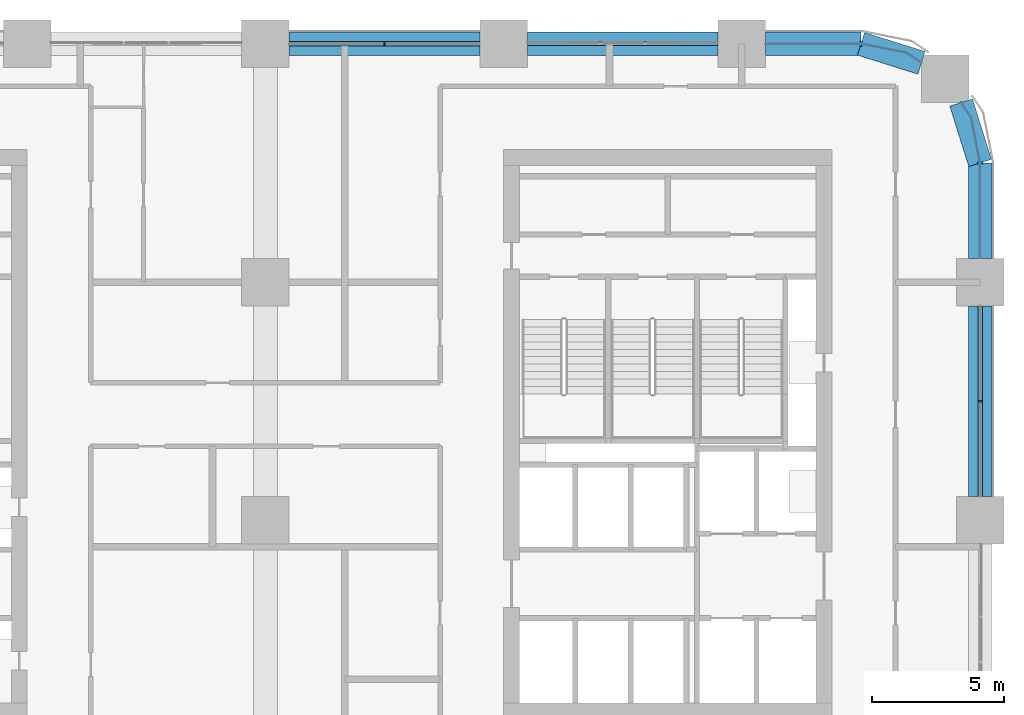
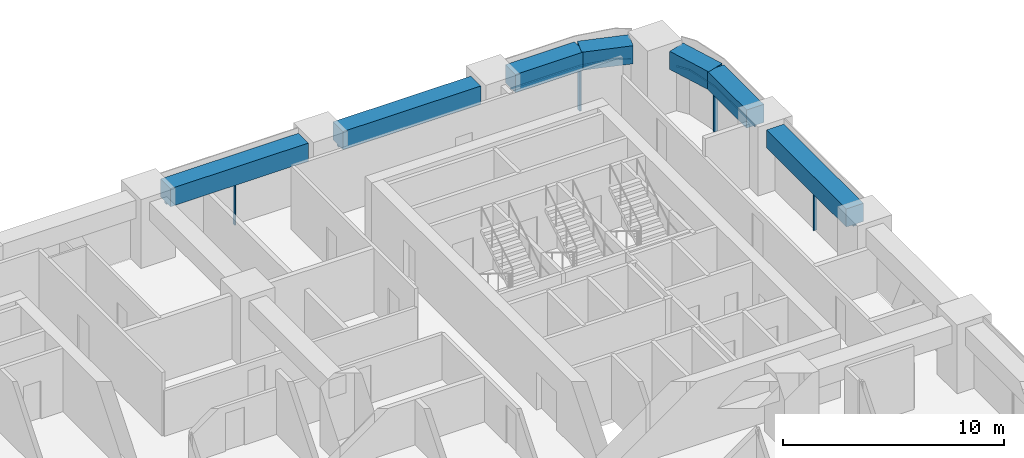
# One storey, part 8 of 21: 9 members, 7 beams, 5 elements without a shape of their own.
"""IFC4 building model written with IfcOpenShell, lengths in metres."""

from ifc_helpers import new_model, si_unit, direction, frame, origin, origin_2d, place, context, subcontext, project, spatial, polyline, rectangle, outline, extrude, material, material_profile, profile_set, type_object, element, aggregate, save


model = new_model("IFC4")

# Units and contexts
model_context = context("Model", 3, precision=1e-05, world=origin(), true_north=direction((0.0, 1.0)))
body_context = subcontext(model_context, "Body", "Model", "MODEL_VIEW")
ifc_project = project(units=[si_unit("LENGTHUNIT", "METRE"), si_unit("AREAUNIT", "SQUARE_METRE"), si_unit("VOLUMEUNIT", "CUBIC_METRE"), si_unit("PLANEANGLEUNIT", "RADIAN"), si_unit("MASSUNIT", "GRAM", prefix="KILO")], contexts=[model_context])

# Site, building, storey
site_placement = place(None, origin())
site = spatial("IfcSite", under=ifc_project, at=site_placement, CompositionType="ELEMENT")
building_placement = place(site_placement, origin())
building = spatial("IfcBuilding", under=site, at=building_placement, Name="Tessera Arch", CompositionType="ELEMENT")
storey_placement = place(building_placement, frame((0.0, 0.0, 50.0)))
storey = spatial("IfcBuildingStorey", under=building, at=storey_placement, Name="L10", CompositionType="ELEMENT", Elevation=50.0)

# Curtain wall, member
ifc_material_1 = material(Name="CW1 curtain wall")
curtain_wall_type_1 = type_object("IfcCurtainWallType", Name="CW1 curtain wall", PredefinedType="NOTDEFINED", material=ifc_material_1)
curtain_wall_1_placement = place(storey_placement, origin())
curtain_wall_1 = element("IfcCurtainWall", 1, at=curtain_wall_1_placement, inside=storey, type_object=curtain_wall_type_1, Name="CW1 curtain wall E54.0/4 L10", PredefinedType="NOTDEFINED")
ifc_material_2 = material(Name="Anodised aluminium pale metal", Category="aluminium")
ifc_material_profile_1 = material_profile(ifc_material_2, rectangle(XDim=0.159912109375, YDim=0.06005859375, at=origin_2d()), Name="AL 60x160")
ifc_profile_set_1 = profile_set([ifc_material_profile_1], Name="Anodised aluminium pale metal")
member_type_1 = type_object("IfcMemberType", Name="CW1 mullion", PredefinedType="MULLION", material=ifc_profile_set_1)
member_1_placement = place(storey_placement, frame((54.0, 40.5, 0.0), z_axis=(0.0, 0.0, 1.0), x_axis=(-1.0, 0.0, 0.0)))
member_1 = element("IfcMember", 2, at=member_1_placement, type_object=member_type_1, Name="CW1 mullion E54.0/4 1", PredefinedType="MULLION", context=body_context, shape_type="SweptSolid", body=[
    extrude(rectangle(XDim=0.159912109375, YDim=0.06005859375, at=origin_2d()), origin(), (0.0, 0.0, 1.0), 2.39990234375),
])

curtain_wall_2_placement = place(storey_placement, origin())
curtain_wall_2 = element("IfcCurtainWall", 3, at=curtain_wall_2_placement, inside=storey, type_object=curtain_wall_type_1, Name="CW1 curtain wall N54.0/2 L10", PredefinedType="NOTDEFINED")
member_2_placement = place(storey_placement, frame((31.5, 54.0, 0.0), z_axis=(0.0, 0.0, 1.0), x_axis=(0.0, -1.0, 0.0)))
member_2 = element("IfcMember", 4, at=member_2_placement, type_object=member_type_1, Name="CW1 mullion N54.0/2 1", PredefinedType="MULLION", context=body_context, shape_type="SweptSolid", body=[
    extrude(rectangle(XDim=0.159912109375, YDim=0.06005859375, at=origin_2d()), origin(), (0.0, 0.0, 1.0), 2.39990234375),
])

# Member
ifc_material_3 = material(Name="Anodised aluminium pale metal", Category="aluminium")
ifc_material_profile_2 = material_profile(ifc_material_3, rectangle(XDim=0.159912109375, YDim=0.10009765625, at=origin_2d()), Name="AL 160x100")
ifc_profile_set_2 = profile_set([ifc_material_profile_2], Name="Anodised aluminium pale metal")
member_type_2 = type_object("IfcMemberType", Name="CW1 transom", PredefinedType="USERDEFINED", material=ifc_profile_set_2)
member_3_placement = place(storey_placement, frame((54.0, 36.89990234375, 2.449951171875), z_axis=(0.0, 1.0, 0.0), x_axis=(-1.0, 0.0, 0.0)))
member_3 = element("IfcMember", 5, at=member_3_placement, type_object=member_type_2, Name="CW1 transom E54.0/4 1.1", ObjectType="TRANSOM", PredefinedType="USERDEFINED", context=body_context, shape_type="SweptSolid", body=[
    extrude(rectangle(XDim=0.159912109375, YDim=0.10009765625, at=origin_2d()), origin(), (0.0, 0.0, 1.0), 7.2001953125),
])

aggregate(curtain_wall_1, [member_1, member_3])

member_4_placement = place(storey_placement, frame((35.10009765625, 54.0, 2.449951171875), z_axis=(-1.0, 0.0, 0.0), x_axis=(0.0, -1.0, 0.0)))
member_4 = element("IfcMember", 6, at=member_4_placement, type_object=member_type_2, Name="CW1 transom N54.0/2 1.1", ObjectType="TRANSOM", PredefinedType="USERDEFINED", context=body_context, shape_type="SweptSolid", body=[
    extrude(rectangle(XDim=0.159912109375, YDim=0.10009765625, at=origin_2d()), origin(), (0.0, 0.0, 1.0), 7.2001953125),
])

aggregate(curtain_wall_2, [member_2, member_4])

# Curtain wall, member
ifc_material_4 = material(Name="CW2 curtain wall")
curtain_wall_type_2 = type_object("IfcCurtainWallType", Name="CW2 curtain wall", PredefinedType="NOTDEFINED", material=ifc_material_4)
curtain_wall_3_placement = place(storey_placement, origin())
curtain_wall_3 = element("IfcCurtainWall", 7, at=curtain_wall_3_placement, inside=storey, type_object=curtain_wall_type_2, Name="CW2 curtain wall E54.0/5 L10", PredefinedType="NOTDEFINED")
ifc_material_5 = material(Name="Anodised aluminium pale metal", Category="aluminium")
ifc_material_profile_3 = material_profile(ifc_material_5, rectangle(XDim=0.199951171875, YDim=0.080078125, at=origin_2d()), Name="AL 80x200")
ifc_profile_set_3 = profile_set([ifc_material_profile_3], Name="Anodised aluminium pale metal")
member_type_3 = type_object("IfcMemberType", Name="CW2 mullion", PredefinedType="MULLION", material=ifc_profile_set_3)
member_5_placement = place(storey_placement, frame((54.0, 49.5, 0.0), z_axis=(0.0, 0.0, 1.0), x_axis=(-1.0, 0.0, 0.0)))
member_5 = element("IfcMember", 8, at=member_5_placement, type_object=member_type_3, Name="CW2 mullion E54.0/5 1", PredefinedType="MULLION", context=body_context, shape_type="SweptSolid", body=[
    extrude(rectangle(XDim=0.199951171875, YDim=0.080078125, at=origin_2d()), origin(), (0.0, 0.0, 1.0), 2.39990234375),
])

curtain_wall_4_placement = place(storey_placement, origin())
curtain_wall_4 = element("IfcCurtainWall", 9, at=curtain_wall_4_placement, inside=storey, type_object=curtain_wall_type_2, Name="CW2 curtain wall N54.0/0 L10", PredefinedType="NOTDEFINED")
member_6_placement = place(storey_placement, frame((49.5, 54.0, 0.0), z_axis=(0.0, 0.0, 1.0), x_axis=(0.0, -1.0, 0.0)))
member_6 = element("IfcMember", 10, at=member_6_placement, type_object=member_type_3, Name="CW2 mullion N54.0/0 1", PredefinedType="MULLION", context=body_context, shape_type="SweptSolid", body=[
    extrude(rectangle(XDim=0.199951171875, YDim=0.080078125, at=origin_2d()), origin(), (0.0, 0.0, 1.0), 2.39990234375),
])

# Member
ifc_material_6 = material(Name="Anodised aluminium pale metal", Category="aluminium")
ifc_material_profile_4 = material_profile(ifc_material_6, rectangle(XDim=0.199951171875, YDim=0.10009765625, at=origin_2d()), Name="AL 200x100")
ifc_profile_set_4 = profile_set([ifc_material_profile_4], Name="Anodised aluminium pale metal")
member_type_4 = type_object("IfcMemberType", Name="CW2 transom", PredefinedType="USERDEFINED", material=ifc_profile_set_4)
member_7_placement = place(storey_placement, frame((0.0, 0.0, 2.39990234375)))
member_7 = element("IfcMember", 11, at=member_7_placement, type_object=member_type_4, Name="CW2 transom E54.0/5 1", ObjectType="TRANSOM", PredefinedType="USERDEFINED", context=body_context, shape_type="SweptSolid", body=[
    extrude(outline(polyline([(53.989990234375, 49.4990234375), (53.989990234375, 45.89990234375), (54.010009765625, 45.89990234375), (54.010009765625, 49.5009765625), (53.6669921875, 51.22607421875), (53.29150390625, 51.78759765625), (53.27490234375, 51.7763671875), (53.648193359375, 51.21826171875), (53.989990234375, 49.4990234375)])), origin(), (0.0, 0.0, 1.0), 0.10009765625),
])

aggregate(curtain_wall_3, [member_5, member_7])

member_8_placement = place(storey_placement, frame((0.0, 0.0, 2.39990234375)))
member_8 = element("IfcMember", 12, at=member_8_placement, type_object=member_type_4, Name="CW2 transom N54.0/0 1", ObjectType="TRANSOM", PredefinedType="USERDEFINED", context=body_context, shape_type="SweptSolid", body=[
    extrude(outline(polyline([(51.21826171875, 53.648193359375), (51.7763671875, 53.27490234375), (51.78759765625, 53.29150390625), (51.22607421875, 53.6669921875), (49.5009765625, 54.010009765625), (45.89990234375, 54.010009765625), (45.89990234375, 53.989990234375), (49.4990234375, 53.989990234375), (51.21826171875, 53.648193359375)])), origin(), (0.0, 0.0, 1.0), 0.10009765625),
])

aggregate(curtain_wall_4, [member_6, member_8])

# Curtain wall, member
ifc_material_7 = material(Name="CW3 curtain wall")
curtain_wall_type_3 = type_object("IfcCurtainWallType", Name="CW3 curtain wall", PredefinedType="NOTDEFINED", material=ifc_material_7)
curtain_wall_5_placement = place(storey_placement, origin())
curtain_wall_5 = element("IfcCurtainWall", 13, at=curtain_wall_5_placement, inside=storey, type_object=curtain_wall_type_3, Name="CW3 curtain wall N54.0/1 L10", PredefinedType="NOTDEFINED")
ifc_material_8 = material(Name="Anodised aluminium pale metal", Category="aluminium")
ifc_material_profile_5 = material_profile(ifc_material_8, rectangle(XDim=0.139892578125, YDim=0.10009765625, at=origin_2d()), Name="AL 140x100")
ifc_profile_set_5 = profile_set([ifc_material_profile_5], Name="Anodised aluminium pale metal")
member_type_5 = type_object("IfcMemberType", Name="CW3 transom", PredefinedType="USERDEFINED", material=ifc_profile_set_5)
member_9_placement = place(storey_placement, frame((44.10009765625, 54.0, 2.449951171875), z_axis=(-1.0, 0.0, 0.0), x_axis=(0.0, -1.0, 0.0)))
member_9 = element("IfcMember", 14, at=member_9_placement, type_object=member_type_5, Name="CW3 transom N54.0/1 1.1", ObjectType="TRANSOM", PredefinedType="USERDEFINED", context=body_context, shape_type="SweptSolid", body=[
    extrude(rectangle(XDim=0.139892578125, YDim=0.10009765625, at=origin_2d()), origin(), (0.0, 0.0, 1.0), 7.2001953125),
])
aggregate(curtain_wall_5, [member_9])

# Beams
ifc_material_9 = material(Name="Concrete C80/95", Category="concrete")
ifc_material_profile_6 = material_profile(ifc_material_9, rectangle(XDim=0.89990234375, YDim=1.0, at=origin_2d()), Name="RC spandrel beam 900 x 1000 Concrete C80/95")
ifc_profile_set_6 = profile_set([ifc_material_profile_6], Name="Concrete C80/95")
beam_type = type_object("IfcBeamType", Name="RC spandrel beam 900 x 1000 Concrete C80/95", PredefinedType="BEAM", material=ifc_profile_set_6)
beam_1_placement = place(storey_placement, frame((54.0, 36.89990234375, 3.0), z_axis=(0.0, 1.0, 0.0), x_axis=(-1.0, 0.0, 0.0)))
element("IfcBeam", 15, at=beam_1_placement, inside=storey, type_object=beam_type, Name="Spandrel beam L10 E54.0/4", PredefinedType="BEAM", context=body_context, shape_type="SweptSolid", body=[
    extrude(rectangle(XDim=0.89990234375, YDim=1.0, at=origin_2d()), origin(), (0.0, 0.0, 1.0), 7.2001953125),
])
beam_2_placement = place(storey_placement, frame((54.0, 45.89990234375, 3.0), z_axis=(0.0, 1.0, 0.0), x_axis=(-1.0, 0.0, 0.0)))
element("IfcBeam", 16, at=beam_2_placement, inside=storey, type_object=beam_type, Name="Spandrel beam L10 E54.0/5.1", PredefinedType="BEAM", context=body_context, shape_type="SweptSolid", body=[
    extrude(rectangle(XDim=0.89990234375, YDim=1.0, at=origin_2d()), origin(), (0.0, 0.0, 1.0), 3.60009765625),
])
for number, where, z_axis, x_axis, name in (
    (17, (54.0, 49.5, 3.0), (-0.299675309057, 0.954041251279, 0.0), (-0.954041251279, -0.299675309057, 0.0), "Spandrel beam L10 E54.0/5.2"),
    (18, (51.781982421875, 53.283203125, 3.0), (-0.954041251279, 0.299675309057, 0.0), (-0.299675309057, -0.954041251279, 0.0), "Spandrel beam L10 N54.0/0.1"),
):
    element("IfcBeam", number, at=place(storey_placement, frame(where, z_axis=z_axis, x_axis=x_axis)), inside=storey, type_object=beam_type, Name=name, PredefinedType="BEAM", context=body_context, shape_type="SweptSolid", body=[
        extrude(rectangle(XDim=0.89990234375, YDim=1.0, at=origin_2d()), origin(), (0.0, 0.0, 1.0), 2.391845703125),
    ])
beam_3_placement = place(storey_placement, frame((49.5, 54.0, 3.0), z_axis=(-1.0, 0.0, 0.0), x_axis=(0.0, -1.0, 0.0)))
element("IfcBeam", 19, at=beam_3_placement, inside=storey, type_object=beam_type, Name="Spandrel beam L10 N54.0/0.2", PredefinedType="BEAM", context=body_context, shape_type="SweptSolid", body=[
    extrude(rectangle(XDim=0.89990234375, YDim=1.0, at=origin_2d()), origin(), (0.0, 0.0, 1.0), 3.60009765625),
])
for number, where, z_axis, x_axis, name in (
    (20, (44.10009765625, 54.0, 3.0), (-1.0, 0.0, 0.0), (0.0, -1.0, 0.0), "Spandrel beam L10 N54.0/1"),
    (21, (35.10009765625, 54.0, 3.0), (-1.0, 0.0, 0.0), (0.0, -1.0, 0.0), "Spandrel beam L10 N54.0/2"),
):
    element("IfcBeam", number, at=place(storey_placement, frame(where, z_axis=z_axis, x_axis=x_axis)), inside=storey, type_object=beam_type, Name=name, PredefinedType="BEAM", context=body_context, shape_type="SweptSolid", body=[
        extrude(rectangle(XDim=0.89990234375, YDim=1.0, at=origin_2d()), origin(), (0.0, 0.0, 1.0), 7.2001953125),
    ])

save(model, "model.ifc")
